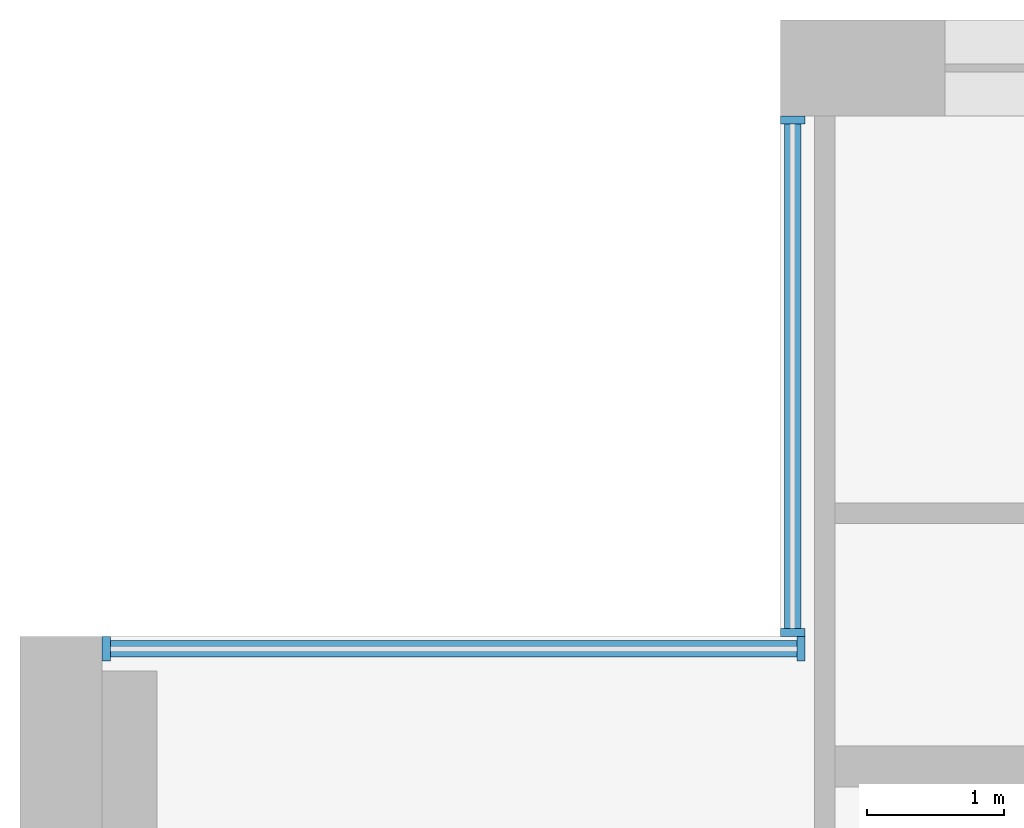
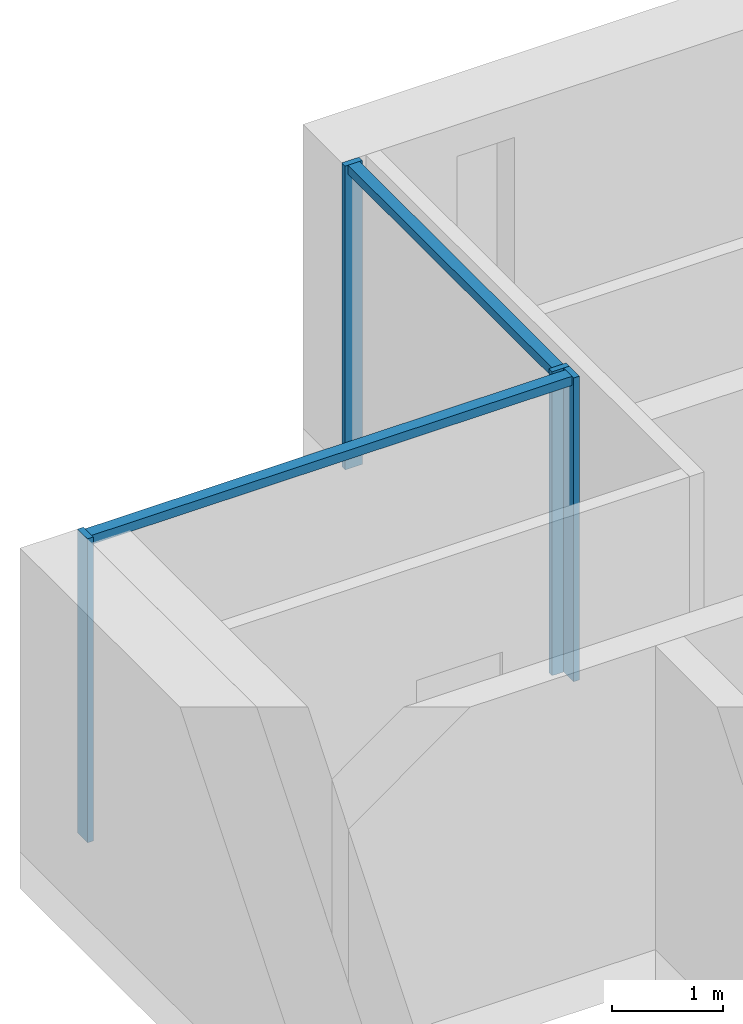
# One storey, part 4 of 17: 6 members, 2 elements without a shape of their own.
"""IFC4 building model written with IfcOpenShell, lengths in metres."""

from ifc_helpers import new_model, si_unit, direction, frame, origin, origin_2d, place, context, subcontext, project, spatial, rectangle, extrude, material, material_profile, profile_set, type_object, element, aggregate, save


model = new_model("IFC4")

# Units and contexts
model_context = context("Model", 3, precision=1e-05, world=origin(), true_north=direction((0.0, 1.0)))
body_context = subcontext(model_context, "Body", "Model", "MODEL_VIEW")
ifc_project = project(units=[si_unit("LENGTHUNIT", "METRE"), si_unit("AREAUNIT", "SQUARE_METRE"), si_unit("VOLUMEUNIT", "CUBIC_METRE"), si_unit("PLANEANGLEUNIT", "RADIAN"), si_unit("MASSUNIT", "GRAM", prefix="KILO")], contexts=[model_context])

# Site, building, storey
site_placement = place(None, origin())
site = spatial("IfcSite", under=ifc_project, at=site_placement, CompositionType="ELEMENT")
building_placement = place(site_placement, origin())
building = spatial("IfcBuilding", under=site, at=building_placement, Name="Calvaro Tower", CompositionType="ELEMENT")
storey_placement = place(building_placement, frame((0.0, 0.0, 189.25)))
storey = spatial("IfcBuildingStorey", under=building, at=storey_placement, Name="L47", CompositionType="ELEMENT", Elevation=189.25)

# Curtain wall, members
ifc_material_1 = material(Name="Anodised aluminium", Category="aluminium")
curtain_wall_type = type_object("IfcCurtainWallType", Name="Office curtain wall, upper zone", PredefinedType="NOTDEFINED", material=ifc_material_1)
curtain_wall_1_placement = place(storey_placement, origin())
curtain_wall_1 = element("IfcCurtainWall", 1, at=curtain_wall_1_placement, inside=storey, type_object=curtain_wall_type, Name="CW3 corner curtain wall", PredefinedType="NOTDEFINED")
ifc_material_2 = material(Name="Anodised aluminium", Category="aluminium")
ifc_material_profile_1 = material_profile(ifc_material_2, rectangle(XDim=0.179931640625, YDim=0.06005859375, at=origin_2d()), Name="Mullion S3 60 x 180")
ifc_profile_set_1 = profile_set([ifc_material_profile_1], Name="Anodised aluminium")
member_type_1 = type_object("IfcMemberType", Name="Mullion S3 60 x 180", PredefinedType="MULLION", material=ifc_profile_set_1)
member_1_placement = place(storey_placement, frame((11.639892578125, 41.530029296875, 0.0), z_axis=(0.0, 0.0, 1.0), x_axis=(-1.0, 0.0, 0.0)))
member_1 = element("IfcMember", 2, at=member_1_placement, type_object=member_type_1, Name="CW3 mullion 1", PredefinedType="MULLION", context=body_context, shape_type="SweptSolid", body=[
    extrude(rectangle(XDim=0.179931640625, YDim=0.06005859375, at=origin_2d()), origin(), (0.0, 0.0, 1.0), 3.35009765625),
])
member_2_placement = place(storey_placement, frame((11.639892578125, 45.27001953125, 0.0), z_axis=(0.0, 0.0, 1.0), x_axis=(-1.0, 0.0, 0.0)))
member_2 = element("IfcMember", 3, at=member_2_placement, type_object=member_type_1, Name="CW3 mullion 2", PredefinedType="MULLION", context=body_context, shape_type="SweptSolid", body=[
    extrude(rectangle(XDim=0.179931640625, YDim=0.06005859375, at=origin_2d()), origin(), (0.0, 0.0, 1.0), 3.35009765625),
])

curtain_wall_2_placement = place(storey_placement, origin())
curtain_wall_2 = element("IfcCurtainWall", 4, at=curtain_wall_2_placement, inside=storey, type_object=curtain_wall_type, Name="CW3 corner curtain wall", PredefinedType="NOTDEFINED")
member_3_placement = place(storey_placement, frame((6.6298828125, 41.409912109375, 0.0), z_axis=(0.0, 0.0, 1.0), x_axis=(0.0, 1.0, 0.0)))
member_3 = element("IfcMember", 5, at=member_3_placement, type_object=member_type_1, Name="CW3 mullion 1", PredefinedType="MULLION", context=body_context, shape_type="SweptSolid", body=[
    extrude(rectangle(XDim=0.179931640625, YDim=0.06005859375, at=origin_2d()), origin(), (0.0, 0.0, 1.0), 3.35009765625),
])
member_4_placement = place(storey_placement, frame((11.699951171875, 41.409912109375, 0.0), z_axis=(0.0, 0.0, 1.0), x_axis=(0.0, 1.0, 0.0)))
member_4 = element("IfcMember", 6, at=member_4_placement, type_object=member_type_1, Name="CW3 mullion 2", PredefinedType="MULLION", context=body_context, shape_type="SweptSolid", body=[
    extrude(rectangle(XDim=0.179931640625, YDim=0.06005859375, at=origin_2d()), origin(), (0.0, 0.0, 1.0), 3.35009765625),
])

# Member
ifc_material_3 = material(Name="Anodised aluminium", Category="aluminium")
ifc_material_profile_2 = material_profile(ifc_material_3, rectangle(XDim=0.1201171875, YDim=0.10009765625, at=origin_2d()), Name="Transom S3 100 x 120")
ifc_profile_set_2 = profile_set([ifc_material_profile_2], Name="Anodised aluminium")
member_type_2 = type_object("IfcMemberType", Name="Transom S3 100 x 120", PredefinedType="USERDEFINED", material=ifc_profile_set_2)
member_5_placement = place(storey_placement, frame((11.639892578125, 41.56005859375, 3.300048828125), z_axis=(0.0, 1.0, 0.0), x_axis=(-1.0, 0.0, 0.0)))
member_5 = element("IfcMember", 7, at=member_5_placement, type_object=member_type_2, Name="CW3 transom 1.1", ObjectType="TRANSOM", PredefinedType="USERDEFINED", context=body_context, shape_type="SweptSolid", body=[
    extrude(rectangle(XDim=0.1201171875, YDim=0.10009765625, at=origin_2d()), origin(), (0.0, 0.0, 1.0), 3.679931640625),
])

aggregate(curtain_wall_1, [member_1, member_2, member_5])

member_6_placement = place(storey_placement, frame((6.659912109375, 41.409912109375, 3.300048828125), z_axis=(1.0, 0.0, 0.0), x_axis=(0.0, 1.0, 0.0)))
member_6 = element("IfcMember", 8, at=member_6_placement, type_object=member_type_2, Name="CW3 transom 1.1", ObjectType="TRANSOM", PredefinedType="USERDEFINED", context=body_context, shape_type="SweptSolid", body=[
    extrude(rectangle(XDim=0.1201171875, YDim=0.10009765625, at=origin_2d()), origin(), (0.0, 0.0, 1.0), 5.010009765625),
])

aggregate(curtain_wall_2, [member_3, member_4, member_6])

save(model, "model.ifc")
